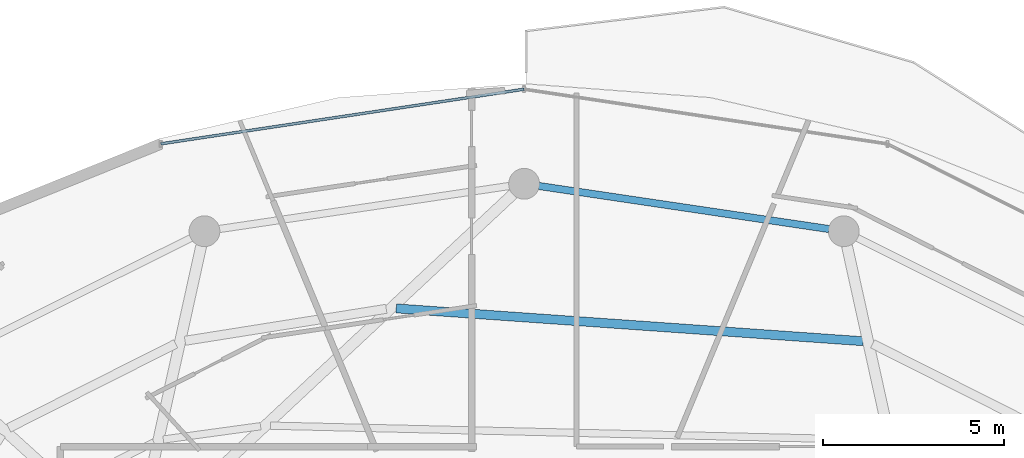
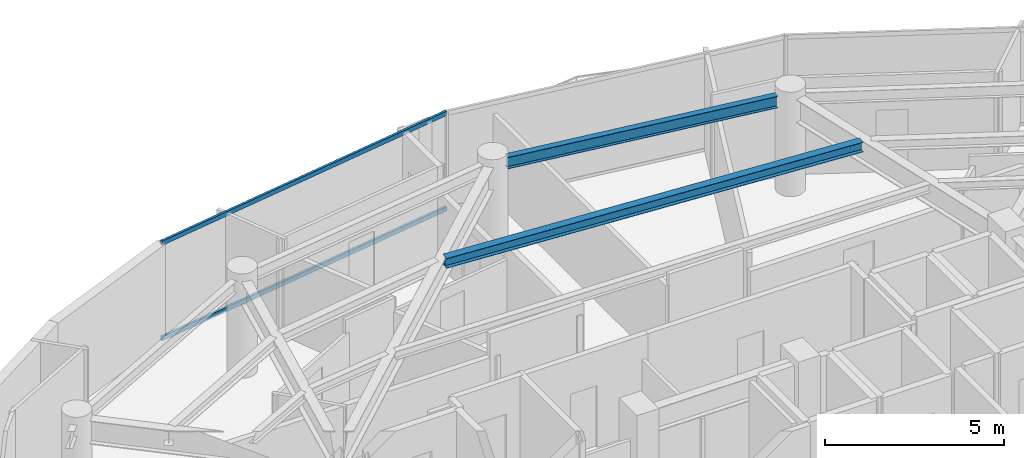
# One storey, part 20 of 32: 2 beams, 2 members, 1 element without a shape of its own.
"""IFC4 building model written with IfcOpenShell, lengths in metres."""

import ifcopenshell
import ifcopenshell.guid

model = None  # the IFC model being written
_history = None  # IfcOwnerHistory: only IFC2X3 demands one
_inside = {}  # id of a spatial element -> (the spatial element, [elements in it])
_under = {}  # id of a project, library or spatial element -> (it, [spatial elements below it])
_declared = {}  # id of a project -> (the project, [libraries it declares])
_typed = {}  # id of a type object -> (the type object, [elements of that type])
_made_of = {}  # id of a material, layer set ... -> (it, [elements and type objects made of it])


def new_model(schema):
    """Start an empty IFC model of exactly this schema.

    Asked for "IFC4X3", IfcOpenShell would pick the latest addendum, in which some entities
    have other attributes; the version numbers below select the first issue.
    IFC2X3 requires an IfcOwnerHistory on every rooted entity: one is made here for all.
    """
    global model, _history
    if schema == "IFC4X3":
        model = ifcopenshell.file(schema_version=(4, 3, 0, 0))
    else:
        model = ifcopenshell.file(schema=schema)
    _inside.clear()
    _under.clear()
    _declared.clear()
    _typed.clear()
    _made_of.clear()
    _history = None
    if model.schema == "IFC2X3":
        org = make("IfcOrganization", Name="unknown")
        user = make(
            "IfcPersonAndOrganization",
            ThePerson=make("IfcPerson", FamilyName="unknown"),
            TheOrganization=org,
        )
        app = make(
            "IfcApplication",
            ApplicationDeveloper=org,
            Version="unknown",
            ApplicationFullName="unknown",
            ApplicationIdentifier="unknown",
        )
        _history = make(
            "IfcOwnerHistory",
            OwningUser=user,
            OwningApplication=app,
            ChangeAction="ADDED",
            CreationDate=0,
        )
    return model


def make(cls, **values):
    """One entity of the class cls with the attributes given. An attribute that is None is left unset."""
    return model.create_entity(
        cls, **{name: value for name, value in values.items() if value is not None}
    )


def rooted(cls, **values):
    """An entity with a GlobalId (a new one), such as an element, a storey or a relation."""
    return make(cls, GlobalId=ifcopenshell.guid.new(), OwnerHistory=_history, **values)


def si_unit(unit_type, name, prefix=None):
    """IfcSIUnit, for example si_unit("LENGTHUNIT", "METRE", prefix="MILLI")."""
    return make("IfcSIUnit", UnitType=unit_type, Prefix=prefix, Name=name)


def assignment(units):
    """IfcUnitAssignment: the units of a project."""
    return None if units is None else make("IfcUnitAssignment", Units=units)


def point(xyz):
    """IfcCartesianPoint."""
    return None if xyz is None else make("IfcCartesianPoint", Coordinates=xyz)


def direction(xyz):
    """IfcDirection."""
    return None if xyz is None else make("IfcDirection", DirectionRatios=xyz)


def frame(location, z_axis=None, x_axis=None):
    """IfcAxis2Placement3D, a coordinate frame: its origin and axes. An axis left out is left unset."""
    return make(
        "IfcAxis2Placement3D",
        Location=point(location),
        Axis=direction(z_axis),
        RefDirection=direction(x_axis),
    )


def frame_2d(location, x_axis=None):
    """IfcAxis2Placement2D, a coordinate frame in the plane: its origin and x axis."""
    return make(
        "IfcAxis2Placement2D", Location=point(location), RefDirection=direction(x_axis)
    )


def origin():
    """The frame at (0, 0, 0) with its axes left unset."""
    return frame((0.0, 0.0, 0.0))


def origin_2d():
    """The frame at (0, 0) in the plane with its x axis left unset."""
    return frame_2d((0.0, 0.0))


def place(relative_to, where):
    """IfcLocalPlacement: puts the frame where relative to a parent placement (None: the world)."""
    return make(
        "IfcLocalPlacement", PlacementRelTo=relative_to, RelativePlacement=where
    )


def context(
    kind, dimensions, precision=None, world=None, true_north=None, identifier=None
):
    """IfcGeometricRepresentationContext, for example the 3D "Model" context."""
    return make(
        "IfcGeometricRepresentationContext",
        ContextIdentifier=identifier,
        ContextType=kind,
        CoordinateSpaceDimension=dimensions,
        Precision=precision,
        WorldCoordinateSystem=world,
        TrueNorth=true_north,
    )


def subcontext(parent, identifier, kind, view, scale=None):
    """IfcGeometricRepresentationSubContext, for example "Body" below "Model"."""
    return make(
        "IfcGeometricRepresentationSubContext",
        ContextIdentifier=identifier,
        ContextType=kind,
        ParentContext=parent,
        TargetScale=scale,
        TargetView=view,
    )


def project(units=None, contexts=None):
    """IfcProject with its units and contexts."""
    return rooted(
        "IfcProject",
        Name="project",
        RepresentationContexts=contexts,
        UnitsInContext=assignment(units),
    )


def spatial(cls, under=None, at=None, **own):
    """A site, building, storey or space (cls), placed at a placement, below another one or the project."""
    s = rooted(cls, ObjectPlacement=at, **own)
    if under is not None:
        _under.setdefault(under.id(), (under, []))[1].append(s)
    return s


def profile(cls, at=None, kind="AREA", **sizes):
    """A parametric profile (cls). Its sizes go by their IFC names, for example OverallWidth=200.0."""
    return make(cls, ProfileType=kind, Position=at, **sizes)


def hollow_rectangle(**sizes):
    """IfcRectangleHollowProfileDef."""
    return profile("IfcRectangleHollowProfileDef", **sizes)


def i_section(**sizes):
    """IfcIShapeProfileDef."""
    return profile("IfcIShapeProfileDef", **sizes)


def extrude(swept, where, along, depth):
    """IfcExtrudedAreaSolid: the profile swept, set in the frame where, extruded along a direction by depth."""
    return make(
        "IfcExtrudedAreaSolid",
        SweptArea=swept,
        Position=where,
        ExtrudedDirection=direction(along),
        Depth=depth,
    )


def shape(context_of_items, identifier, shape_type, items):
    """IfcShapeRepresentation: the items that make up one representation, for example the "Body"."""
    return make(
        "IfcShapeRepresentation",
        ContextOfItems=context_of_items,
        RepresentationIdentifier=identifier,
        RepresentationType=shape_type,
        Items=items,
    )


def material(Name=None, Category=None):
    """IfcMaterial."""
    return make("IfcMaterial", Name=Name, Category=Category)


def material_profile(
    of_material, cross_section, Name=None, Category=None, Priority=None
):
    """IfcMaterialProfile: a cross section and its material."""
    return make(
        "IfcMaterialProfile",
        Name=Name,
        Material=of_material,
        Profile=cross_section,
        Priority=Priority,
        Category=Category,
    )


def profile_set(profiles, Name=None, composite=None):
    """IfcMaterialProfileSet."""
    return make(
        "IfcMaterialProfileSet",
        Name=Name,
        MaterialProfiles=profiles,
        CompositeProfile=composite,
    )


def made_of(thing, what):
    """Note that an element or type object is made of a material, layer set ...; save() writes the relation."""
    if what is not None:
        _made_of.setdefault(what.id(), (what, []))[1].append(thing)
    return thing


def type_object(cls, material=None, **own):
    """A type object (cls), such as IfcWallType, which elements share."""
    return made_of(rooted(cls, **own), material)


def element(
    cls,
    number,
    at=None,
    inside=None,
    cuts=None,
    type_object=None,
    material=None,
    context=None,
    identifier="Body",
    shape_type=None,
    held_by="IfcProductDefinitionShape",
    body=None,
    shapes=None,
    **own,
):
    """One element of the class cls, such as IfcWall. Its Tag is "e" and its number.

    at: its placement. inside: the storey or other place that contains it. cuts: it is an
    opening in that element (IfcRelVoidsElement). A single representation is given by context,
    identifier, shape_type and body (its items); several are given by shapes. held_by: the class
    of the entity that holds the representations. save() writes the other relations.
    """
    e = rooted(cls, Tag="e%d" % number, ObjectPlacement=at, **own)
    if body is not None:
        shapes = [shape(context, identifier, shape_type, body)]
    if shapes is not None:
        e.Representation = make(held_by, Representations=shapes)
    if inside is not None:
        _inside.setdefault(inside.id(), (inside, []))[1].append(e)
    if cuts is not None:
        rooted(
            "IfcRelVoidsElement", RelatingBuildingElement=cuts, RelatedOpeningElement=e
        )
    if type_object is not None:
        _typed.setdefault(type_object.id(), (type_object, []))[1].append(e)
    return made_of(e, material)


def aggregate(whole, parts):
    """IfcRelAggregates: a whole, such as a stair, and the parts it consists of."""
    return rooted("IfcRelAggregates", RelatingObject=whole, RelatedObjects=parts)


def save(model, path):
    """Write the relations noted so far, then the file.

    IfcRelAggregates (storeys below a building ...), IfcRelContainedInSpatialStructure (elements
    in a storey), IfcRelDefinesByType, IfcRelAssociatesMaterial and IfcRelDeclares: one each for
    every whole, place, type object, material and project.
    """
    for whole, parts in _under.values():
        aggregate(whole, parts)
    for where, things in _inside.values():
        rooted(
            "IfcRelContainedInSpatialStructure",
            RelatedElements=things,
            RelatingStructure=where,
        )
    for kind, things in _typed.values():
        rooted("IfcRelDefinesByType", RelatedObjects=things, RelatingType=kind)
    for what, things in _made_of.values():
        rooted("IfcRelAssociatesMaterial", RelatedObjects=things, RelatingMaterial=what)
    for by, libraries in _declared.values():
        rooted("IfcRelDeclares", RelatingContext=by, RelatedDefinitions=libraries)
    model.write(path)


model = new_model("IFC4")

# Units and contexts
model_context = context("Model", 3, precision=1e-05, world=origin(), true_north=direction((0.0, 1.0)))
body_context = subcontext(model_context, "Body", "Model", "MODEL_VIEW")
ifc_project = project(units=[si_unit("LENGTHUNIT", "METRE"), si_unit("AREAUNIT", "SQUARE_METRE"), si_unit("VOLUMEUNIT", "CUBIC_METRE"), si_unit("PLANEANGLEUNIT", "RADIAN"), si_unit("MASSUNIT", "GRAM", prefix="KILO")], contexts=[model_context])

# Site, building, storey
site_placement = place(None, origin())
site = spatial("IfcSite", under=ifc_project, at=site_placement, CompositionType="ELEMENT")
building_placement = place(site_placement, origin())
building = spatial("IfcBuilding", under=site, at=building_placement, Name="Vorneva Point Tower", CompositionType="ELEMENT")
storey_placement = place(building_placement, frame((0.0, 0.0, 269.75)))
storey = spatial("IfcBuildingStorey", under=building, at=storey_placement, Name="L73", CompositionType="ELEMENT", Elevation=269.75)

# Beams
ifc_material_1 = material(Name="Steel S355", Category="steel")
ifc_material_profile_1 = material_profile(ifc_material_1, i_section(OverallWidth=0.2490234375, OverallDepth=0.333984375, WebThickness=0.008056640625, FlangeThickness=0.010986328125, at=origin_2d()), Name="35Sh1")
ifc_profile_set_1 = profile_set([ifc_material_profile_1], Name="Steel S355")
beam_type_1 = type_object("IfcBeamType", Name="BM-SEC-35Sh1", PredefinedType="BEAM", material=ifc_profile_set_1)
beam_1_placement = place(storey_placement, frame((47.355224609375, 38.855224609375, 3.123046875), z_axis=(-0.997535819592, 0.07015902388, 0.0), x_axis=(-0.07015902388, -0.997535819592, 0.0)))
element("IfcBeam", 1, at=beam_1_placement, inside=storey, type_object=beam_type_1, Name="L73 Secondary Floor Beam 1.04", PredefinedType="BEAM", context=body_context, shape_type="SweptSolid", body=[
    extrude(i_section(OverallWidth=0.2490234375, OverallDepth=0.333984375, WebThickness=0.008056640625, FlangeThickness=0.010986328125, at=origin_2d()), origin(), (0.0, 0.0, 1.0), 12.9169921875),
])
ifc_material_profile_2 = material_profile(ifc_material_1, i_section(OverallWidth=0.198974609375, OverallDepth=0.39599609375, WebThickness=0.007080078125, FlangeThickness=0.010986328125, at=origin_2d()), Name="40B1")
ifc_profile_set_2 = profile_set([ifc_material_profile_2], Name="Steel S355")
beam_type_2 = type_object("IfcBeamType", Name="BM-SPN-40B1", PredefinedType="SPANDREL", material=ifc_profile_set_2)
beam_2_placement = place(storey_placement, frame((46.415283203125, 41.950927734375, 3.092041015625), z_axis=(-0.989161657331, 0.146830567886, 0.0), x_axis=(-0.146830567886, -0.989161657331, 0.0)))
element("IfcBeam", 2, at=beam_2_placement, inside=storey, type_object=beam_type_2, Name="L73 Perimeter Spandrel Ring Beam 04", PredefinedType="SPANDREL", context=body_context, shape_type="SweptSolid", body=[
    extrude(i_section(OverallWidth=0.198974609375, OverallDepth=0.39599609375, WebThickness=0.007080078125, FlangeThickness=0.010986328125, at=origin_2d()), origin(), (0.0, 0.0, 1.0), 8.097412109375),
])

# Curtain wall, members
ifc_material_2 = material(Name="Pale anodised aluminium", Category="aluminium")
curtain_wall_type = type_object("IfcCurtainWallType", Name="CW-RES-SYS", PredefinedType="NOTDEFINED", material=ifc_material_2)
curtain_wall_placement = place(storey_placement, origin())
curtain_wall = element("IfcCurtainWall", 3, at=curtain_wall_placement, inside=storey, type_object=curtain_wall_type, Name="L73 Unitised Curtain Wall CW-L73-R02", PredefinedType="NOTDEFINED")
ifc_material_profile_3 = material_profile(ifc_material_2, hollow_rectangle(XDim=0.074951171875, YDim=0.14990234375, WallThickness=0.00390625, at=origin_2d()), Name="AL-TRN 150x75x4")
ifc_profile_set_3 = profile_set([ifc_material_profile_3], Name="Pale anodised aluminium")
member_type = type_object("IfcMemberType", Name="CW-TRN-150", PredefinedType="USERDEFINED", material=ifc_profile_set_3)
member_1_placement = place(storey_placement, frame((38.0, 45.81005859375, 0.02001953125), z_axis=(-0.988876929856, -0.148736066907, 0.0), x_axis=(0.148736066907, -0.988876929856, 0.0)))
member_1 = element("IfcMember", 4, at=member_1_placement, type_object=member_type, Name="CW-L73-R02 Transom 03.1", ObjectType="TRANSOM", PredefinedType="USERDEFINED", context=body_context, shape_type="SweptSolid", body=[
    extrude(hollow_rectangle(XDim=0.074951171875, YDim=0.14990234375, WallThickness=0.00390625, at=origin_2d()), origin(), (0.0, 0.0, 1.0), 10.13916015625),
])
member_2_placement = place(storey_placement, frame((38.0, 45.81005859375, 3.27001953125), z_axis=(-0.988876929856, -0.148736066907, 0.0), x_axis=(0.148736066907, -0.988876929856, 0.0)))
member_2 = element("IfcMember", 5, at=member_2_placement, type_object=member_type, Name="CW-L73-R02 Transom 03.2", ObjectType="TRANSOM", PredefinedType="USERDEFINED", context=body_context, shape_type="SweptSolid", body=[
    extrude(hollow_rectangle(XDim=0.074951171875, YDim=0.14990234375, WallThickness=0.00390625, at=origin_2d()), origin(), (0.0, 0.0, 1.0), 10.13916015625),
])
aggregate(curtain_wall, [member_1, member_2])

save(model, "model.ifc")
